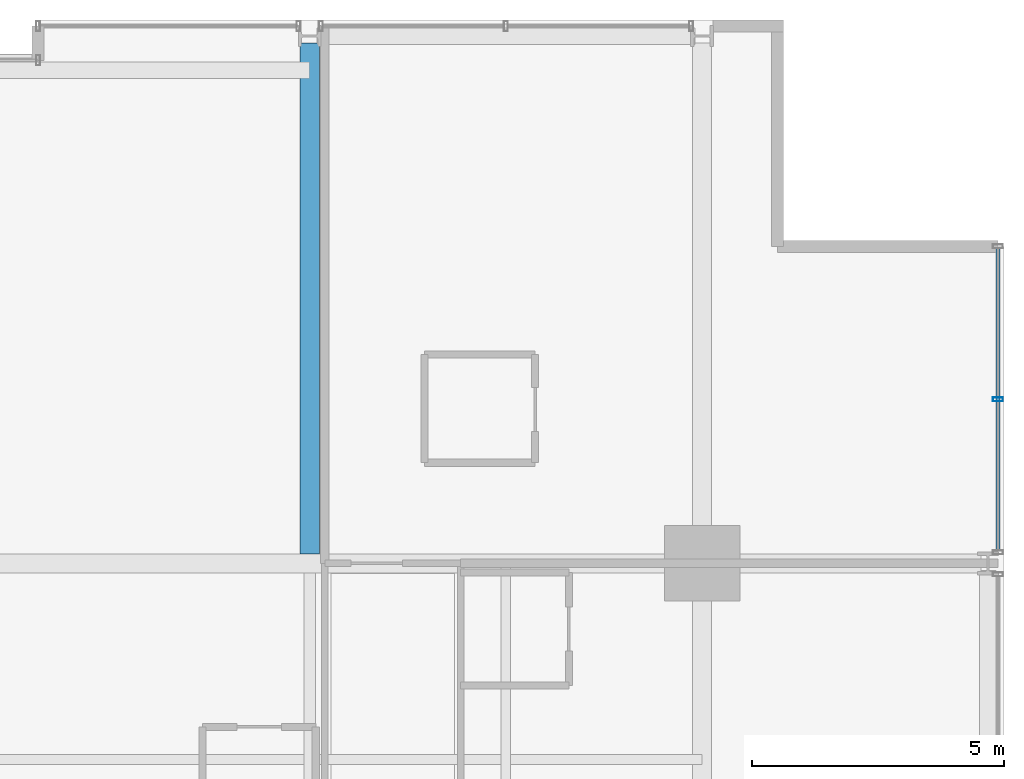
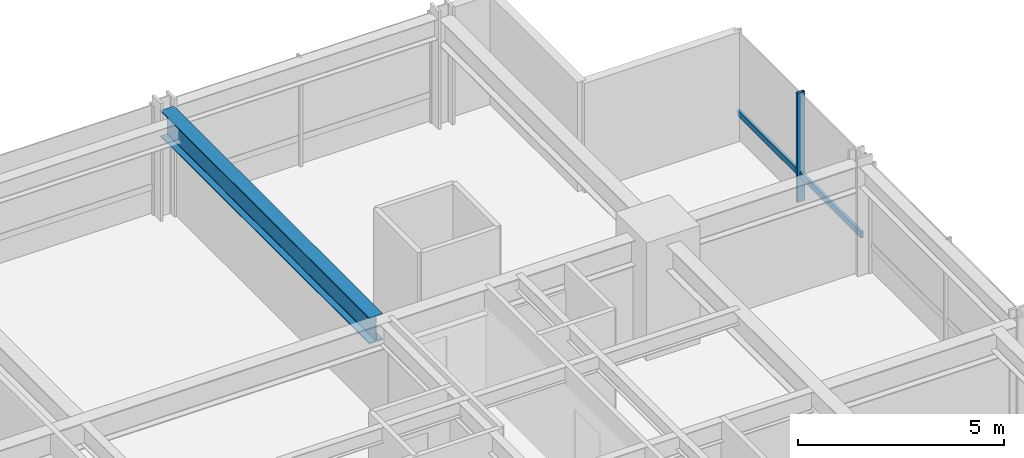
# One storey, part 24 of 34: 2 members, 1 beam, 1 element without a shape of its own.
"""IFC4 building model written with IfcOpenShell, lengths in metres."""

from ifc_helpers import new_model, si_unit, direction, frame, origin, origin_2d, place, context, subcontext, project, spatial, hollow_rectangle, i_section, extrude, material, layer, layer_set, material_profile, profile_set, type_object, element, aggregate, save


model = new_model("IFC4")

# Units and contexts
model_context = context("Model", 3, precision=1e-05, world=origin(), true_north=direction((0.0, 1.0)))
body_context = subcontext(model_context, "Body", "Model", "MODEL_VIEW")
ifc_project = project(units=[si_unit("LENGTHUNIT", "METRE"), si_unit("AREAUNIT", "SQUARE_METRE"), si_unit("VOLUMEUNIT", "CUBIC_METRE"), si_unit("PLANEANGLEUNIT", "RADIAN"), si_unit("MASSUNIT", "GRAM", prefix="KILO")], contexts=[model_context])

# Site, building, storey
site_placement = place(None, origin())
site = spatial("IfcSite", under=ifc_project, at=site_placement, CompositionType="ELEMENT")
building_placement = place(site_placement, origin())
building = spatial("IfcBuilding", under=site, at=building_placement, Name="Drelvath Grand Hotel", CompositionType="ELEMENT")
storey_placement = place(building_placement, frame((0.0, 0.0, 102.300048828125)))
storey = spatial("IfcBuildingStorey", under=building, at=storey_placement, Name="L25", CompositionType="ELEMENT", Elevation=102.300048828125)

# Curtain wall, members
ifc_material_1 = material(Name="Champagne Bronze Anodised Aluminium Frame", Category="aluminium")
ifc_layer = layer(ifc_material_1, 0.199951171875)
ifc_layer_set = layer_set([ifc_layer], Name="Champagne Bronze Anodised Aluminium Frame")
curtain_wall_type = type_object("IfcCurtainWallType", Name="Stick Curtain Wall CW-03 Champagne Bronze Mid-Rise", PredefinedType="NOTDEFINED", material=ifc_layer_set)
curtain_wall_placement = place(storey_placement, origin())
curtain_wall = element("IfcCurtainWall", 1, at=curtain_wall_placement, inside=storey, type_object=curtain_wall_type, Name="L25 CW-03 Curtain Wall CW03-L25-EN3", PredefinedType="NOTDEFINED")
ifc_material_profile_1 = material_profile(ifc_material_1, hollow_rectangle(XDim=0.074951171875, YDim=0.179931640625, WallThickness=0.0048828125, at=origin_2d()), Name="HSS180X75X5")
ifc_profile_set_1 = profile_set([ifc_material_profile_1], Name="Champagne Bronze Anodised Aluminium Frame")
member_type_1 = type_object("IfcMemberType", Name="Curtain Wall Horizontal Transom CW-03 HSS180X75X5", PredefinedType="USERDEFINED", material=ifc_profile_set_1)
member_1_placement = place(storey_placement, frame((22.080078125, 49.4599609375, 0.81005859375), z_axis=(0.0, -1.0, 0.0), x_axis=(1.0, 0.0, 0.0)))
member_1 = element("IfcMember", 2, at=member_1_placement, type_object=member_type_1, Name="CW03-L25-EN3 Sill Transom", ObjectType="TRANSOM", PredefinedType="USERDEFINED", context=body_context, shape_type="SweptSolid", body=[
    extrude(hollow_rectangle(XDim=0.074951171875, YDim=0.179931640625, WallThickness=0.0048828125, at=origin_2d()), origin(), (0.0, 0.0, 1.0), 6.000244140625),
])
ifc_material_profile_2 = material_profile(ifc_material_1, hollow_rectangle(XDim=0.080078125, YDim=0.199951171875, WallThickness=0.0048828125, at=origin_2d()), Name="HSS200X80X5")
ifc_profile_set_2 = profile_set([ifc_material_profile_2], Name="Champagne Bronze Anodised Aluminium Frame")
member_type_2 = type_object("IfcMemberType", Name="Curtain Wall Vertical Mullion CW-03 HSS200X80X5", PredefinedType="MULLION", material=ifc_profile_set_2)
member_2_placement = place(storey_placement, frame((22.080078125, 46.459716796875, 0.0), z_axis=(0.0, 0.0, 1.0), x_axis=(0.0, 1.0, 0.0)))
member_2 = element("IfcMember", 3, at=member_2_placement, type_object=member_type_2, Name="CW03-L25-EN3 Mullion 2", PredefinedType="MULLION", context=body_context, shape_type="SweptSolid", body=[
    extrude(hollow_rectangle(XDim=0.080078125, YDim=0.199951171875, WallThickness=0.0048828125, at=origin_2d()), origin(), (0.0, 0.0, 1.0), 3.239990234375),
])
aggregate(curtain_wall, [member_2, member_1])

# Beam
ifc_material_2 = material(Name="Steel ASTM A992 Gr 50", Category="steel")
ifc_material_profile_3 = material_profile(ifc_material_2, i_section(OverallWidth=0.380615234375, OverallDepth=0.773193359375, WebThickness=0.0166015625, FlangeThickness=0.027099609375, FilletRadius=0.02490234375, at=origin_2d()), Name="W30X173")
ifc_profile_set_3 = profile_set([ifc_material_profile_3], Name="Steel ASTM A992 Gr 50")
beam_type = type_object("IfcBeamType", Name="Primary Floor Girder W30X173", PredefinedType="BEAM", material=ifc_profile_set_3)
beam_placement = place(storey_placement, frame((8.39990234375, 43.390380859375, 2.853271484375), z_axis=(0.0, 1.0, 0.0), x_axis=(-1.0, 0.0, 0.0)))
element("IfcBeam", 4, at=beam_placement, inside=storey, type_object=beam_type, Name="L25 North Wing Girder 6", PredefinedType="BEAM", context=body_context, shape_type="SweptSolid", body=[
    extrude(i_section(OverallWidth=0.380615234375, OverallDepth=0.773193359375, WebThickness=0.0166015625, FlangeThickness=0.027099609375, FilletRadius=0.02490234375, at=origin_2d()), origin(), (0.0, 0.0, 1.0), 10.149658203125),
])

save(model, "model.ifc")
